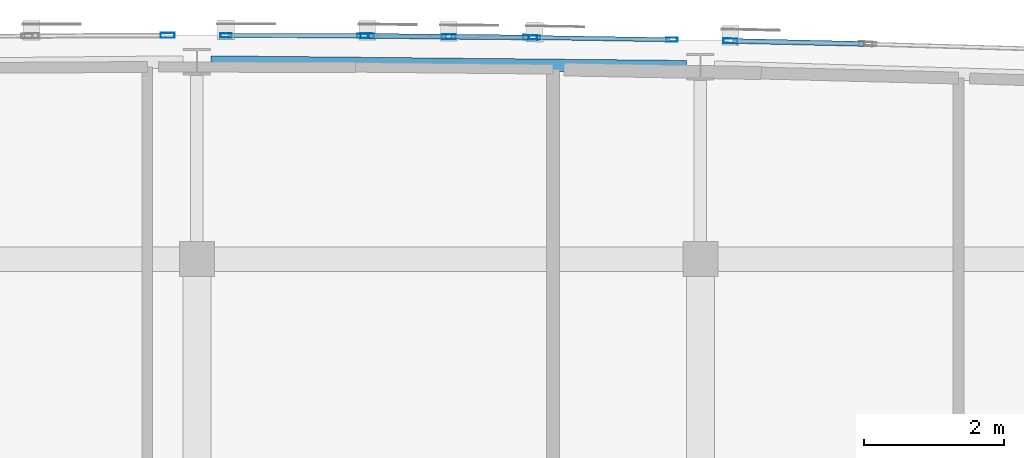
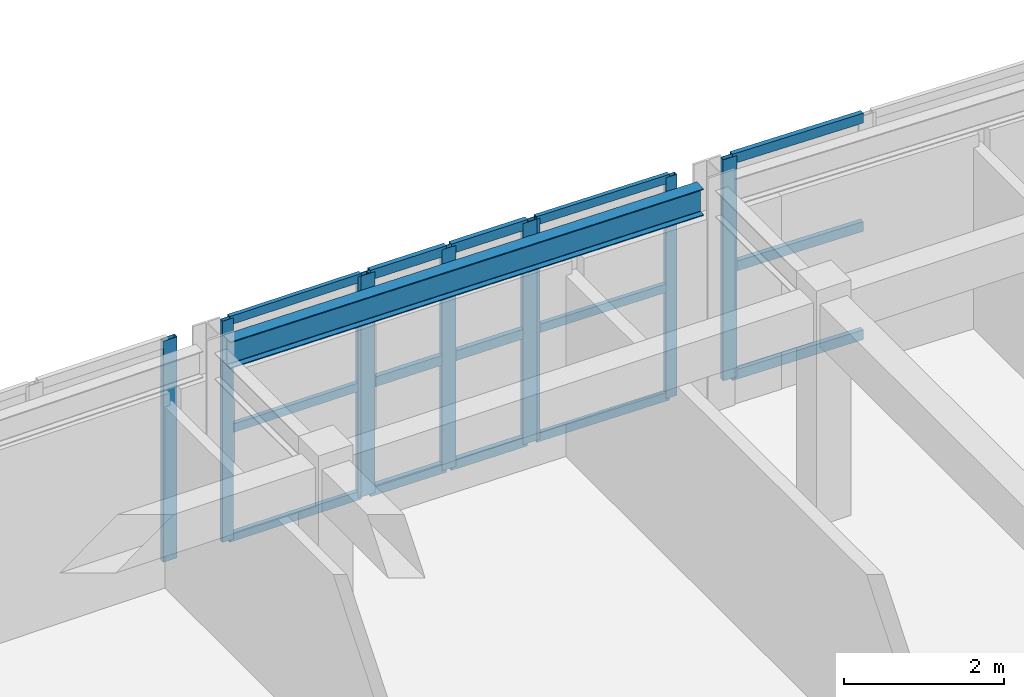
# One storey, part 17 of 34: 24 members, 1 beam, 5 elements without a shape of their own.
"""IFC4 building model written with IfcOpenShell, lengths in metres."""

from ifc_helpers import new_model, si_unit, direction, frame, origin, origin_2d, place, context, subcontext, project, spatial, hollow_rectangle, i_section, extrude, material, layer, layer_set, material_profile, profile_set, type_object, element, aggregate, save


model = new_model("IFC4")

# Units and contexts
model_context = context("Model", 3, precision=1e-05, world=origin(), true_north=direction((0.0, 1.0)))
body_context = subcontext(model_context, "Body", "Model", "MODEL_VIEW")
ifc_project = project(units=[si_unit("LENGTHUNIT", "METRE"), si_unit("AREAUNIT", "SQUARE_METRE"), si_unit("VOLUMEUNIT", "CUBIC_METRE"), si_unit("PLANEANGLEUNIT", "RADIAN"), si_unit("MASSUNIT", "GRAM", prefix="KILO")], contexts=[model_context])

# Site, building, storey
site_placement = place(None, origin())
site = spatial("IfcSite", under=ifc_project, at=site_placement, CompositionType="ELEMENT")
building_placement = place(site_placement, origin())
building = spatial("IfcBuilding", under=site, at=building_placement, Name="Carrowvane Square Congress Hotel", CompositionType="ELEMENT")
storey_placement = place(building_placement, frame((0.0, 0.0, 40.800048828125)))
storey = spatial("IfcBuildingStorey", under=building, at=storey_placement, Name="L10", CompositionType="ELEMENT", Elevation=40.800048828125)

# Beam
ifc_material_1 = material(Name="Steel S355", Category="steel")
ifc_material_profile_1 = material_profile(ifc_material_1, i_section(OverallWidth=0.1787109375, OverallDepth=0.409423828125, WebThickness=0.0087890625, FlangeThickness=0.014404296875, FilletRadius=0.01025390625, at=origin_2d()), Name="UKB 406x178x67")
ifc_profile_set_1 = profile_set([ifc_material_profile_1], Name="Steel S355")
beam_type = type_object("IfcBeamType", Name="BM-ST-UKB406", PredefinedType="BEAM", material=ifc_profile_set_1)
beam_placement = place(storey_placement, frame((98.197509765625, 116.218017578125, 3.17529296875), z_axis=(0.99995239219, -0.009757733037, 0.0), x_axis=(0.009757733037, 0.99995239219, 0.0)))
element("IfcBeam", 1, at=beam_placement, inside=storey, type_object=beam_type, Name="L11 curved north spandrel", PredefinedType="BEAM", context=body_context, shape_type="SweptSolid", body=[
    extrude(i_section(OverallWidth=0.1787109375, OverallDepth=0.409423828125, WebThickness=0.0087890625, FlangeThickness=0.014404296875, FilletRadius=0.01025390625, at=origin_2d()), origin(), (0.0, 0.0, 1.0), 6.805419921875),
])

# Curtain wall, members
ifc_material_2 = material(Name="Anodised aluminium", Category="aluminium")
ifc_layer_1 = layer(ifc_material_2, 0.23388671875)
ifc_layer_set_1 = layer_set([ifc_layer_1], Name="Anodised aluminium")
curtain_wall_type_1 = type_object("IfcCurtainWallType", Name="CW-SYS-7", PredefinedType="NOTDEFINED", material=ifc_layer_set_1)
curtain_wall_1_placement = place(storey_placement, origin())
curtain_wall_1 = element("IfcCurtainWall", 2, at=curtain_wall_1_placement, inside=storey, type_object=curtain_wall_type_1, Name="L10 unitised curtain wall 574", PredefinedType="NOTDEFINED")
ifc_material_3 = material(Name="Anodised aluminium", Category="aluminium")
ifc_material_profile_2 = material_profile(ifc_material_3, hollow_rectangle(XDim=0.06005859375, YDim=0.159912109375, WallThickness=0.00390625, at=origin_2d()), Name="CW-ML 60x160x4")
ifc_profile_set_2 = profile_set([ifc_material_profile_2], Name="Anodised aluminium")
member_type_1 = type_object("IfcMemberType", Name="CW-MUL-1", PredefinedType="MULLION", material=ifc_profile_set_2)
member_1_placement = place(storey_placement, frame((98.414794921875, 116.5986328125, 0.0), z_axis=(0.0, 0.0, 1.0), x_axis=(0.003270307911, 0.999994652529, 0.0)))
member_1 = element("IfcMember", 3, at=member_1_placement, type_object=member_type_1, Name="CW-7 mullion 1", PredefinedType="MULLION", context=body_context, shape_type="SweptSolid", body=[
    extrude(hollow_rectangle(XDim=0.06005859375, YDim=0.159912109375, WallThickness=0.00390625, at=origin_2d()), origin(), (0.0, 0.0, 1.0), 3.3798828125),
])
member_2_placement = place(storey_placement, frame((100.369873046875, 116.59228515625, 0.0), z_axis=(0.0, 0.0, 1.0), x_axis=(0.003270307911, 0.999994652529, 0.0)))
member_2 = element("IfcMember", 4, at=member_2_placement, type_object=member_type_1, Name="CW-7 mullion 2", PredefinedType="MULLION", context=body_context, shape_type="SweptSolid", body=[
    extrude(hollow_rectangle(XDim=0.06005859375, YDim=0.159912109375, WallThickness=0.00390625, at=origin_2d()), origin(), (0.0, 0.0, 1.0), 3.3798828125),
])

ifc_material_4 = material(Name="Anodised aluminium", Category="aluminium")
ifc_layer_2 = layer(ifc_material_4, 0.162109375)
ifc_layer_set_2 = layer_set([ifc_layer_2], Name="Anodised aluminium")
curtain_wall_type_2 = type_object("IfcCurtainWallType", Name="CW-SYS-1", PredefinedType="NOTDEFINED", material=ifc_layer_set_2)
curtain_wall_2_placement = place(storey_placement, origin())
curtain_wall_2 = element("IfcCurtainWall", 5, at=curtain_wall_2_placement, inside=storey, type_object=curtain_wall_type_2, Name="L10 unitised curtain wall 576", PredefinedType="NOTDEFINED")
member_3_placement = place(storey_placement, frame((102.830078125, 116.568115234375, 0.0), z_axis=(0.0, 0.0, 1.0), x_axis=(0.016215981364, 0.99986851233, 0.0)))
member_3 = element("IfcMember", 6, at=member_3_placement, type_object=member_type_1, Name="CW-1 mullion 1", PredefinedType="MULLION", context=body_context, shape_type="SweptSolid", body=[
    extrude(hollow_rectangle(XDim=0.06005859375, YDim=0.159912109375, WallThickness=0.00390625, at=origin_2d()), origin(), (0.0, 0.0, 1.0), 3.3798828125),
])
member_4_placement = place(storey_placement, frame((104.79248046875, 116.536376953125, 0.0), z_axis=(0.0, 0.0, 1.0), x_axis=(0.016215981364, 0.99986851233, 0.0)))
member_4 = element("IfcMember", 7, at=member_4_placement, type_object=member_type_1, Name="CW-1 mullion 2", PredefinedType="MULLION", context=body_context, shape_type="SweptSolid", body=[
    extrude(hollow_rectangle(XDim=0.06005859375, YDim=0.159912109375, WallThickness=0.00390625, at=origin_2d()), origin(), (0.0, 0.0, 1.0), 3.3798828125),
])

# Curtain wall, member
ifc_material_5 = material(Name="Anodised aluminium", Category="aluminium")
ifc_layer_3 = layer(ifc_material_5, 0.221923828125)
ifc_layer_set_3 = layer_set([ifc_layer_3], Name="Anodised aluminium")
curtain_wall_type_3 = type_object("IfcCurtainWallType", Name="CW-SYS-6", PredefinedType="NOTDEFINED", material=ifc_layer_set_3)
curtain_wall_3_placement = place(storey_placement, origin())
curtain_wall_3 = element("IfcCurtainWall", 8, at=curtain_wall_3_placement, inside=storey, type_object=curtain_wall_type_3, Name="L10 unitised curtain wall 573", PredefinedType="NOTDEFINED")
ifc_material_6 = material(Name="Anodised aluminium", Category="aluminium")
ifc_material_profile_3 = material_profile(ifc_material_6, hollow_rectangle(XDim=0.070068359375, YDim=0.199951171875, WallThickness=0.0048828125, at=origin_2d()), Name="CW-ML 70x200x5")
ifc_profile_set_3 = profile_set([ifc_material_profile_3], Name="Anodised aluminium")
member_type_2 = type_object("IfcMemberType", Name="CW-MUL-2", PredefinedType="MULLION", material=ifc_profile_set_3)
member_5_placement = place(storey_placement, frame((97.580078125, 116.5986328125, 0.0), z_axis=(0.0, 0.0, 1.0), x_axis=(-0.003270307911, 0.999994652529, 0.0)))
member_5 = element("IfcMember", 9, at=member_5_placement, type_object=member_type_2, Name="CW-6 mullion 2", PredefinedType="MULLION", context=body_context, shape_type="SweptSolid", body=[
    extrude(hollow_rectangle(XDim=0.070068359375, YDim=0.199951171875, WallThickness=0.0048828125, at=origin_2d()), origin(), (0.0, 0.0, 1.0), 3.3798828125),
])
aggregate(curtain_wall_3, [member_5])

# Curtain wall, members
ifc_material_7 = material(Name="Anodised aluminium", Category="aluminium")
ifc_layer_4 = layer(ifc_material_7, 0.24609375)
ifc_layer_set_4 = layer_set([ifc_layer_4], Name="Anodised aluminium")
curtain_wall_type_4 = type_object("IfcCurtainWallType", Name="CW-SYS-8", PredefinedType="NOTDEFINED", material=ifc_layer_set_4)
curtain_wall_4_placement = place(storey_placement, origin())
curtain_wall_4 = element("IfcCurtainWall", 10, at=curtain_wall_4_placement, inside=storey, type_object=curtain_wall_type_4, Name="L10 unitised curtain wall 575", PredefinedType="NOTDEFINED")
member_6_placement = place(storey_placement, frame((100.43505859375, 116.591796875, 0.0), z_axis=(0.0, 0.0, 1.0), x_axis=(0.009782905924, 0.999952146231, 0.0)))
member_6 = element("IfcMember", 11, at=member_6_placement, type_object=member_type_2, Name="CW-8 mullion 1", PredefinedType="MULLION", context=body_context, shape_type="SweptSolid", body=[
    extrude(hollow_rectangle(XDim=0.070068359375, YDim=0.199951171875, WallThickness=0.0048828125, at=origin_2d()), origin(), (0.0, 0.0, 1.0), 3.3798828125),
])
member_7_placement = place(storey_placement, frame((101.60009765625, 116.580322265625, 0.0), z_axis=(0.0, 0.0, 1.0), x_axis=(0.009782905924, 0.999952146231, 0.0)))
member_7 = element("IfcMember", 12, at=member_7_placement, type_object=member_type_2, Name="CW-8 mullion 2", PredefinedType="MULLION", context=body_context, shape_type="SweptSolid", body=[
    extrude(hollow_rectangle(XDim=0.070068359375, YDim=0.199951171875, WallThickness=0.0048828125, at=origin_2d()), origin(), (0.0, 0.0, 1.0), 3.3798828125),
])
member_8_placement = place(storey_placement, frame((102.764892578125, 116.569091796875, 0.0), z_axis=(0.0, 0.0, 1.0), x_axis=(0.009782905924, 0.999952146231, 0.0)))
member_8 = element("IfcMember", 13, at=member_8_placement, type_object=member_type_2, Name="CW-8 mullion 3", PredefinedType="MULLION", context=body_context, shape_type="SweptSolid", body=[
    extrude(hollow_rectangle(XDim=0.070068359375, YDim=0.199951171875, WallThickness=0.0048828125, at=origin_2d()), origin(), (0.0, 0.0, 1.0), 3.3798828125),
])

# Curtain wall, member
ifc_material_8 = material(Name="Anodised aluminium", Category="aluminium")
ifc_layer_5 = layer(ifc_material_8, 0.174072265625)
ifc_layer_set_5 = layer_set([ifc_layer_5], Name="Anodised aluminium")
curtain_wall_type_5 = type_object("IfcCurtainWallType", Name="CW-SYS-2", PredefinedType="NOTDEFINED", material=ifc_layer_set_5)
curtain_wall_5_placement = place(storey_placement, origin())
curtain_wall_5 = element("IfcCurtainWall", 14, at=curtain_wall_5_placement, inside=storey, type_object=curtain_wall_type_5, Name="L10 unitised curtain wall 577", PredefinedType="NOTDEFINED")
member_9_placement = place(storey_placement, frame((105.627197265625, 116.52001953125, 0.0), z_axis=(0.0, 0.0, 1.0), x_axis=(0.022517686606, 0.99974644475, 0.0)))
member_9 = element("IfcMember", 15, at=member_9_placement, type_object=member_type_2, Name="CW-2 mullion 1", PredefinedType="MULLION", context=body_context, shape_type="SweptSolid", body=[
    extrude(hollow_rectangle(XDim=0.070068359375, YDim=0.199951171875, WallThickness=0.0048828125, at=origin_2d()), origin(), (0.0, 0.0, 1.0), 3.3798828125),
])

# Member
ifc_material_9 = material(Name="Anodised aluminium", Category="aluminium")
ifc_material_profile_4 = material_profile(ifc_material_9, hollow_rectangle(XDim=0.06005859375, YDim=0.1298828125, WallThickness=0.00390625, at=origin_2d()), Name="CW-TR 60x130x4")
ifc_profile_set_4 = profile_set([ifc_material_profile_4], Name="Anodised aluminium")
member_type_3 = type_object("IfcMemberType", Name="CW-TRN-1", PredefinedType="USERDEFINED", material=ifc_profile_set_4)
member_10_placement = place(storey_placement, frame((98.44482421875, 116.5986328125, 0.030029296875), z_axis=(0.999994391408, -0.003349201878, 0.0), x_axis=(0.003349201878, 0.999994391408, 0.0)))
member_10 = element("IfcMember", 16, at=member_10_placement, type_object=member_type_3, Name="CW-7 transom 1.1", ObjectType="TRANSOM", PredefinedType="USERDEFINED", context=body_context, shape_type="SweptSolid", body=[
    extrude(hollow_rectangle(XDim=0.06005859375, YDim=0.1298828125, WallThickness=0.00390625, at=origin_2d()), origin(), (0.0, 0.0, 1.0), 1.895263671875),
])

member_11_placement = place(storey_placement, frame((98.44482421875, 116.5986328125, 1.68994140625), z_axis=(0.999994391408, -0.003349201878, 0.0), x_axis=(0.003349201878, 0.999994391408, 0.0)))
member_11 = element("IfcMember", 17, at=member_11_placement, type_object=member_type_3, Name="CW-7 transom 1.2", ObjectType="TRANSOM", PredefinedType="USERDEFINED", context=body_context, shape_type="SweptSolid", body=[
    extrude(hollow_rectangle(XDim=0.06005859375, YDim=0.1298828125, WallThickness=0.00390625, at=origin_2d()), origin(), (0.0, 0.0, 1.0), 1.895263671875),
])

member_12_placement = place(storey_placement, frame((98.44482421875, 116.5986328125, 3.349853515625), z_axis=(0.999994391408, -0.003349201878, 0.0), x_axis=(0.003349201878, 0.999994391408, 0.0)))
member_12 = element("IfcMember", 18, at=member_12_placement, type_object=member_type_3, Name="CW-7 transom 1.3", ObjectType="TRANSOM", PredefinedType="USERDEFINED", context=body_context, shape_type="SweptSolid", body=[
    extrude(hollow_rectangle(XDim=0.06005859375, YDim=0.1298828125, WallThickness=0.00390625, at=origin_2d()), origin(), (0.0, 0.0, 1.0), 1.895263671875),
])

aggregate(curtain_wall_1, [member_1, member_2, member_10, member_11, member_12])

member_13_placement = place(storey_placement, frame((102.860107421875, 116.567626953125, 0.030029296875), z_axis=(0.999869284212, -0.016168317481, 0.0), x_axis=(0.016168317481, 0.999869284212, 0.0)))
member_13 = element("IfcMember", 19, at=member_13_placement, type_object=member_type_3, Name="CW-1 transom 1.1", ObjectType="TRANSOM", PredefinedType="USERDEFINED", context=body_context, shape_type="SweptSolid", body=[
    extrude(hollow_rectangle(XDim=0.06005859375, YDim=0.1298828125, WallThickness=0.00390625, at=origin_2d()), origin(), (0.0, 0.0, 1.0), 1.902587890625),
])

member_14_placement = place(storey_placement, frame((102.860107421875, 116.567626953125, 1.68994140625), z_axis=(0.999869284212, -0.016168317481, 0.0), x_axis=(0.016168317481, 0.999869284212, 0.0)))
member_14 = element("IfcMember", 20, at=member_14_placement, type_object=member_type_3, Name="CW-1 transom 1.2", ObjectType="TRANSOM", PredefinedType="USERDEFINED", context=body_context, shape_type="SweptSolid", body=[
    extrude(hollow_rectangle(XDim=0.06005859375, YDim=0.1298828125, WallThickness=0.00390625, at=origin_2d()), origin(), (0.0, 0.0, 1.0), 1.902587890625),
])

member_15_placement = place(storey_placement, frame((102.860107421875, 116.567626953125, 3.349853515625), z_axis=(0.999869284212, -0.016168317481, 0.0), x_axis=(0.016168317481, 0.999869284212, 0.0)))
member_15 = element("IfcMember", 21, at=member_15_placement, type_object=member_type_3, Name="CW-1 transom 1.3", ObjectType="TRANSOM", PredefinedType="USERDEFINED", context=body_context, shape_type="SweptSolid", body=[
    extrude(hollow_rectangle(XDim=0.06005859375, YDim=0.1298828125, WallThickness=0.00390625, at=origin_2d()), origin(), (0.0, 0.0, 1.0), 1.902587890625),
])

aggregate(curtain_wall_2, [member_3, member_4, member_13, member_14, member_15])

ifc_material_10 = material(Name="Anodised aluminium", Category="aluminium")
ifc_material_profile_5 = material_profile(ifc_material_10, hollow_rectangle(XDim=0.070068359375, YDim=0.14990234375, WallThickness=0.0048828125, at=origin_2d()), Name="CW-TR 70x150x5")
ifc_profile_set_5 = profile_set([ifc_material_profile_5], Name="Anodised aluminium")
member_type_4 = type_object("IfcMemberType", Name="CW-TRN-2", PredefinedType="USERDEFINED", material=ifc_profile_set_5)
member_16_placement = place(storey_placement, frame((100.469970703125, 116.591552734375, 0.034912109375), z_axis=(0.999951880721, -0.009810007302, 0.0), x_axis=(0.009810007302, 0.999951880721, 0.0)))
member_16 = element("IfcMember", 22, at=member_16_placement, type_object=member_type_4, Name="CW-8 transom 1.1", ObjectType="TRANSOM", PredefinedType="USERDEFINED", context=body_context, shape_type="SweptSolid", body=[
    extrude(hollow_rectangle(XDim=0.070068359375, YDim=0.14990234375, WallThickness=0.0048828125, at=origin_2d()), origin(), (0.0, 0.0, 1.0), 1.094970703125),
])

member_17_placement = place(storey_placement, frame((100.469970703125, 116.591552734375, 1.68994140625), z_axis=(0.999951880721, -0.009810007302, 0.0), x_axis=(0.009810007302, 0.999951880721, 0.0)))
member_17 = element("IfcMember", 23, at=member_17_placement, type_object=member_type_4, Name="CW-8 transom 1.2", ObjectType="TRANSOM", PredefinedType="USERDEFINED", context=body_context, shape_type="SweptSolid", body=[
    extrude(hollow_rectangle(XDim=0.070068359375, YDim=0.14990234375, WallThickness=0.0048828125, at=origin_2d()), origin(), (0.0, 0.0, 1.0), 1.094970703125),
])

member_18_placement = place(storey_placement, frame((100.469970703125, 116.591552734375, 3.344970703125), z_axis=(0.999951880721, -0.009810007302, 0.0), x_axis=(0.009810007302, 0.999951880721, 0.0)))
member_18 = element("IfcMember", 24, at=member_18_placement, type_object=member_type_4, Name="CW-8 transom 1.3", ObjectType="TRANSOM", PredefinedType="USERDEFINED", context=body_context, shape_type="SweptSolid", body=[
    extrude(hollow_rectangle(XDim=0.070068359375, YDim=0.14990234375, WallThickness=0.0048828125, at=origin_2d()), origin(), (0.0, 0.0, 1.0), 1.094970703125),
])

member_19_placement = place(storey_placement, frame((101.635009765625, 116.580078125, 0.034912109375), z_axis=(0.999951880721, -0.009810007302, 0.0), x_axis=(0.009810007302, 0.999951880721, 0.0)))
member_19 = element("IfcMember", 25, at=member_19_placement, type_object=member_type_4, Name="CW-8 transom 2.1", ObjectType="TRANSOM", PredefinedType="USERDEFINED", context=body_context, shape_type="SweptSolid", body=[
    extrude(hollow_rectangle(XDim=0.070068359375, YDim=0.14990234375, WallThickness=0.0048828125, at=origin_2d()), origin(), (0.0, 0.0, 1.0), 1.094970703125),
])

member_20_placement = place(storey_placement, frame((101.635009765625, 116.580078125, 1.68994140625), z_axis=(0.999951880721, -0.009810007302, 0.0), x_axis=(0.009810007302, 0.999951880721, 0.0)))
member_20 = element("IfcMember", 26, at=member_20_placement, type_object=member_type_4, Name="CW-8 transom 2.2", ObjectType="TRANSOM", PredefinedType="USERDEFINED", context=body_context, shape_type="SweptSolid", body=[
    extrude(hollow_rectangle(XDim=0.070068359375, YDim=0.14990234375, WallThickness=0.0048828125, at=origin_2d()), origin(), (0.0, 0.0, 1.0), 1.094970703125),
])

member_21_placement = place(storey_placement, frame((101.635009765625, 116.580078125, 3.344970703125), z_axis=(0.999951880721, -0.009810007302, 0.0), x_axis=(0.009810007302, 0.999951880721, 0.0)))
member_21 = element("IfcMember", 27, at=member_21_placement, type_object=member_type_4, Name="CW-8 transom 2.3", ObjectType="TRANSOM", PredefinedType="USERDEFINED", context=body_context, shape_type="SweptSolid", body=[
    extrude(hollow_rectangle(XDim=0.070068359375, YDim=0.14990234375, WallThickness=0.0048828125, at=origin_2d()), origin(), (0.0, 0.0, 1.0), 1.094970703125),
])

aggregate(curtain_wall_4, [member_6, member_7, member_8, member_16, member_17, member_18, member_19, member_20, member_21])

member_22_placement = place(storey_placement, frame((105.662353515625, 116.519287109375, 0.034912109375), z_axis=(0.999747338303, -0.022477979371, 0.0), x_axis=(0.022477979371, 0.999747338303, 0.0)))
member_22 = element("IfcMember", 28, at=member_22_placement, type_object=member_type_4, Name="CW-2 transom 1.1", ObjectType="TRANSOM", PredefinedType="USERDEFINED", context=body_context, shape_type="SweptSolid", body=[
    extrude(hollow_rectangle(XDim=0.070068359375, YDim=0.14990234375, WallThickness=0.0048828125, at=origin_2d()), origin(), (0.0, 0.0, 1.0), 1.8681640625),
])

member_23_placement = place(storey_placement, frame((105.662353515625, 116.519287109375, 1.68994140625), z_axis=(0.999747338303, -0.022477979371, 0.0), x_axis=(0.022477979371, 0.999747338303, 0.0)))
member_23 = element("IfcMember", 29, at=member_23_placement, type_object=member_type_4, Name="CW-2 transom 1.2", ObjectType="TRANSOM", PredefinedType="USERDEFINED", context=body_context, shape_type="SweptSolid", body=[
    extrude(hollow_rectangle(XDim=0.070068359375, YDim=0.14990234375, WallThickness=0.0048828125, at=origin_2d()), origin(), (0.0, 0.0, 1.0), 1.8681640625),
])

member_24_placement = place(storey_placement, frame((105.662353515625, 116.519287109375, 3.344970703125), z_axis=(0.999747338303, -0.022477979371, 0.0), x_axis=(0.022477979371, 0.999747338303, 0.0)))
member_24 = element("IfcMember", 30, at=member_24_placement, type_object=member_type_4, Name="CW-2 transom 1.3", ObjectType="TRANSOM", PredefinedType="USERDEFINED", context=body_context, shape_type="SweptSolid", body=[
    extrude(hollow_rectangle(XDim=0.070068359375, YDim=0.14990234375, WallThickness=0.0048828125, at=origin_2d()), origin(), (0.0, 0.0, 1.0), 1.8681640625),
])

aggregate(curtain_wall_5, [member_9, member_22, member_23, member_24])

save(model, "model.ifc")
